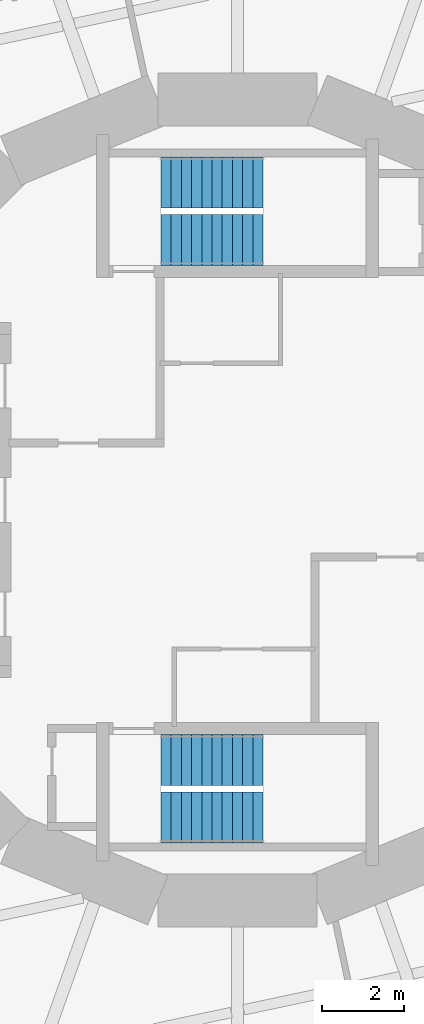
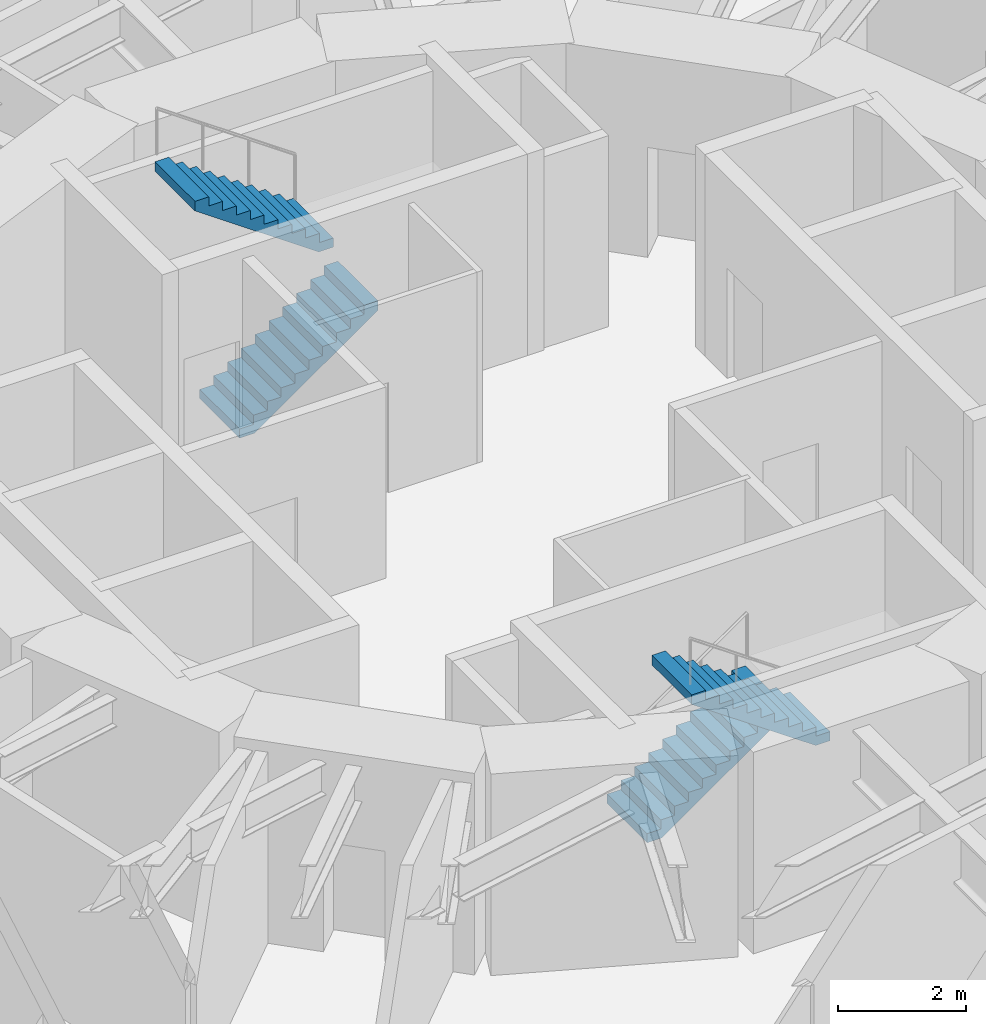
# One storey, part 12 of 14: 4 stair flights, 2 elements without a shape of their own.
"""IFC4 building model written with IfcOpenShell, lengths in metres."""

from ifc_helpers import new_model, si_unit, direction, frame, origin, place, context, subcontext, project, spatial, polyline, outline, extrude, material, type_object, element, aggregate, save


model = new_model("IFC4")

# Units and contexts
model_context = context("Model", 3, precision=1e-05, world=origin(), true_north=direction((0.0, 1.0)))
body_context = subcontext(model_context, "Body", "Model", "MODEL_VIEW")
ifc_project = project(units=[si_unit("LENGTHUNIT", "METRE"), si_unit("AREAUNIT", "SQUARE_METRE"), si_unit("VOLUMEUNIT", "CUBIC_METRE"), si_unit("PLANEANGLEUNIT", "RADIAN"), si_unit("MASSUNIT", "GRAM", prefix="KILO")], contexts=[model_context])

# Site, building, storey
site_placement = place(None, origin())
site = spatial("IfcSite", under=ifc_project, at=site_placement, CompositionType="ELEMENT")
building_placement = place(site_placement, origin())
building = spatial("IfcBuilding", under=site, at=building_placement, Name="Nakasero Lantern House", CompositionType="ELEMENT")
storey_placement = place(building_placement, frame((0.0, 0.0, 120.39990234375)))
storey = spatial("IfcBuildingStorey", under=building, at=storey_placement, Name="L29", CompositionType="ELEMENT", Elevation=120.39990234375)

# Stair, stair flights
ifc_material_1 = material(Name="Concrete C40/50", Category="concrete")
stair_type_1 = type_object("IfcStairType", Name="Escape stair ST1 22 risers", PredefinedType="HALF_TURN_STAIR", material=ifc_material_1)
stair_1_placement = place(storey_placement, origin())
stair_1 = element("IfcStair", 1, at=stair_1_placement, inside=storey, type_object=stair_type_1, Name="Escape stair ST1 L29", PredefinedType="HALF_TURN_STAIR")
ifc_material_2 = material(Name="Concrete C40/50", Category="concrete")
stair_flight_type = type_object("IfcStairFlightType", Name="Escape stair flight", PredefinedType="STRAIGHT", material=ifc_material_2)
stair_flight_1_placement = place(storey_placement, frame((-1.875, 6.375, 0.0), z_axis=(0.0, 0.0, 1.0), x_axis=(1.0, 0.0, 0.0)))
stair_flight_1 = element("IfcStairFlight", 2, at=stair_flight_1_placement, type_object=stair_flight_type, Name="ST1 flight 1", NumberOfRisers=11, NumberOfTreads=10, PredefinedType="STRAIGHT", RiserHeight=0.175, TreadLength=0.25, context=body_context, shape_type="SweptSolid", body=[
    extrude(outline(polyline([(0.0, 0.0), (0.0, 0.175048828125), (0.25, 0.175048828125), (0.25, 0.35009765625), (0.5, 0.35009765625), (0.5, 0.52490234375), (0.75, 0.52490234375), (0.75, 0.699951171875), (1.0, 0.699951171875), (1.0, 0.875), (1.25, 0.875), (1.25, 1.050048828125), (1.5, 1.050048828125), (1.5, 1.22509765625), (1.75, 1.22509765625), (1.75, 1.39990234375), (2.0, 1.39990234375), (2.0, 1.574951171875), (2.25, 1.574951171875), (2.25, 1.75), (2.5, 1.75), (2.5, 1.925048828125), (2.5, 1.567138671875), (0.261474609375, 0.0), (0.0, 0.0)])), frame((0.0, 0.625, 0.0), z_axis=(0.0, -1.0, 0.0), x_axis=(1.0, 0.0, 0.0)), (0.0, 0.0, 1.0), 1.25),
])
stair_flight_2_placement = place(storey_placement, frame((0.625, 7.77490234375, 1.925048828125), z_axis=(0.0, 0.0, 1.0), x_axis=(-1.0, 0.0, 0.0)))
stair_flight_2 = element("IfcStairFlight", 3, at=stair_flight_2_placement, type_object=stair_flight_type, Name="ST1 flight 2", NumberOfRisers=11, NumberOfTreads=10, PredefinedType="STRAIGHT", RiserHeight=0.175, TreadLength=0.25, context=body_context, shape_type="SweptSolid", body=[
    extrude(outline(polyline([(0.0, 0.0), (0.0, 0.175048828125), (0.25, 0.175048828125), (0.25, 0.35009765625), (0.5, 0.35009765625), (0.5, 0.52490234375), (0.75, 0.52490234375), (0.75, 0.699951171875), (1.0, 0.699951171875), (1.0, 0.875), (1.25, 0.875), (1.25, 1.050048828125), (1.5, 1.050048828125), (1.5, 1.22509765625), (1.75, 1.22509765625), (1.75, 1.39990234375), (2.0, 1.39990234375), (2.0, 1.574951171875), (2.25, 1.574951171875), (2.25, 1.75), (2.5, 1.75), (2.5, 1.925048828125), (2.5, 1.567138671875), (0.261474609375, 0.0), (0.0, 0.0)])), frame((0.0, 0.625, 0.0), z_axis=(0.0, -1.0, 0.0), x_axis=(1.0, 0.0, 0.0)), (0.0, 0.0, 1.0), 1.25),
])
aggregate(stair_1, [stair_flight_1, stair_flight_2])

ifc_material_3 = material(Name="Concrete C40/50", Category="concrete")
stair_type_2 = type_object("IfcStairType", Name="Escape stair ST2 22 risers", PredefinedType="HALF_TURN_STAIR", material=ifc_material_3)
stair_2_placement = place(storey_placement, origin())
stair_2 = element("IfcStair", 4, at=stair_2_placement, inside=storey, type_object=stair_type_2, Name="Escape stair ST2 L29", PredefinedType="HALF_TURN_STAIR")
stair_flight_3_placement = place(storey_placement, frame((-1.875, -6.375, 0.0), z_axis=(0.0, 0.0, 1.0), x_axis=(1.0, 0.0, 0.0)))
stair_flight_3 = element("IfcStairFlight", 5, at=stair_flight_3_placement, type_object=stair_flight_type, Name="ST2 flight 1", NumberOfRisers=11, NumberOfTreads=10, PredefinedType="STRAIGHT", RiserHeight=0.175, TreadLength=0.25, context=body_context, shape_type="SweptSolid", body=[
    extrude(outline(polyline([(0.0, 0.0), (0.0, 0.175048828125), (0.25, 0.175048828125), (0.25, 0.35009765625), (0.5, 0.35009765625), (0.5, 0.52490234375), (0.75, 0.52490234375), (0.75, 0.699951171875), (1.0, 0.699951171875), (1.0, 0.875), (1.25, 0.875), (1.25, 1.050048828125), (1.5, 1.050048828125), (1.5, 1.22509765625), (1.75, 1.22509765625), (1.75, 1.39990234375), (2.0, 1.39990234375), (2.0, 1.574951171875), (2.25, 1.574951171875), (2.25, 1.75), (2.5, 1.75), (2.5, 1.925048828125), (2.5, 1.567138671875), (0.261474609375, 0.0), (0.0, 0.0)])), frame((0.0, 0.625, 0.0), z_axis=(0.0, -1.0, 0.0), x_axis=(1.0, 0.0, 0.0)), (0.0, 0.0, 1.0), 1.25),
])
stair_flight_4_placement = place(storey_placement, frame((0.625, -7.77490234375, 1.925048828125), z_axis=(0.0, 0.0, 1.0), x_axis=(-1.0, 0.0, 0.0)))
stair_flight_4 = element("IfcStairFlight", 6, at=stair_flight_4_placement, type_object=stair_flight_type, Name="ST2 flight 2", NumberOfRisers=11, NumberOfTreads=10, PredefinedType="STRAIGHT", RiserHeight=0.175, TreadLength=0.25, context=body_context, shape_type="SweptSolid", body=[
    extrude(outline(polyline([(0.0, 0.0), (0.0, 0.175048828125), (0.25, 0.175048828125), (0.25, 0.35009765625), (0.5, 0.35009765625), (0.5, 0.52490234375), (0.75, 0.52490234375), (0.75, 0.699951171875), (1.0, 0.699951171875), (1.0, 0.875), (1.25, 0.875), (1.25, 1.050048828125), (1.5, 1.050048828125), (1.5, 1.22509765625), (1.75, 1.22509765625), (1.75, 1.39990234375), (2.0, 1.39990234375), (2.0, 1.574951171875), (2.25, 1.574951171875), (2.25, 1.75), (2.5, 1.75), (2.5, 1.925048828125), (2.5, 1.567138671875), (0.261474609375, 0.0), (0.0, 0.0)])), frame((0.0, 0.625, 0.0), z_axis=(0.0, -1.0, 0.0), x_axis=(1.0, 0.0, 0.0)), (0.0, 0.0, 1.0), 1.25),
])
aggregate(stair_2, [stair_flight_3, stair_flight_4])

save(model, "model.ifc")
